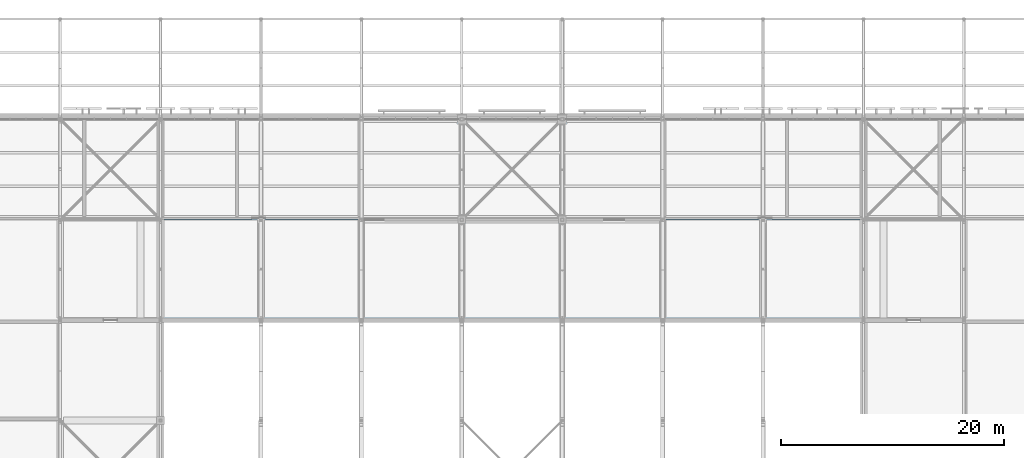
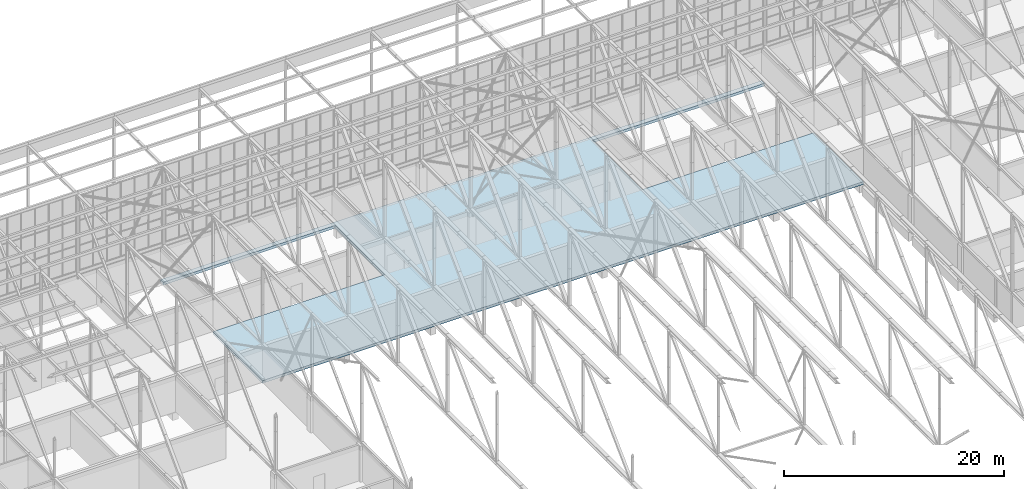
# One storey, part 151 of 646: 1 slab.
"""IFC4 building model written with IfcOpenShell, lengths in metres."""

from ifc_helpers import new_model, si_unit, direction, frame, origin, place, context, subcontext, project, spatial, polyline, outline, extrude, material, layer, layer_set, type_object, element, save


model = new_model("IFC4")

# Units and contexts
model_context = context("Model", 3, precision=1e-05, world=origin(), true_north=direction((0.0, 1.0)))
body_context = subcontext(model_context, "Body", "Model", "MODEL_VIEW")
ifc_project = project(units=[si_unit("LENGTHUNIT", "METRE"), si_unit("AREAUNIT", "SQUARE_METRE"), si_unit("VOLUMEUNIT", "CUBIC_METRE"), si_unit("PLANEANGLEUNIT", "RADIAN"), si_unit("MASSUNIT", "GRAM", prefix="KILO")], contexts=[model_context])

# Site, building, storey
site_placement = place(None, origin())
site = spatial("IfcSite", under=ifc_project, at=site_placement, CompositionType="ELEMENT")
building_placement = place(site_placement, origin())
building = spatial("IfcBuilding", under=site, at=building_placement, Name="Silverbay Arena", CompositionType="ELEMENT")
storey_placement = place(building_placement, frame((0.0, 0.0, 33.5)))
storey = spatial("IfcBuildingStorey", under=building, at=storey_placement, Name="L05", CompositionType="ELEMENT", Elevation=33.5)

# Slab
ifc_material = material(Name="Concrete Grade C45", Category="concrete")
ifc_layer = layer(ifc_material, 0.300048828125)
ifc_layer_set = layer_set([ifc_layer], Name="Concrete Grade C45")
slab_type = type_object("IfcSlabType", Name="RC floor slab 300", PredefinedType="FLOOR", material=ifc_layer_set)
slab_placement = place(storey_placement, frame((0.0, 0.0, -0.300048828125)))
element("IfcSlab", 1, at=slab_placement, inside=storey, type_object=slab_type, Name="Floor slab L05 unit 11", PredefinedType="FLOOR", context=body_context, shape_type="SweptSolid", body=[
    extrude(outline(polyline([(144.0, 144.0), (144.0, 135.0), (162.0, 135.0), (162.0, 126.02490234375), (99.0, 126.02490234375), (99.0, 135.0), (117.0, 135.0), (117.0, 144.0), (99.0, 144.0), (99.0, 144.5), (162.0, 144.5), (162.0, 144.0), (144.0, 144.0)])), origin(), (0.0, 0.0, 1.0), 0.300048828125),
])

save(model, "model.ifc")
